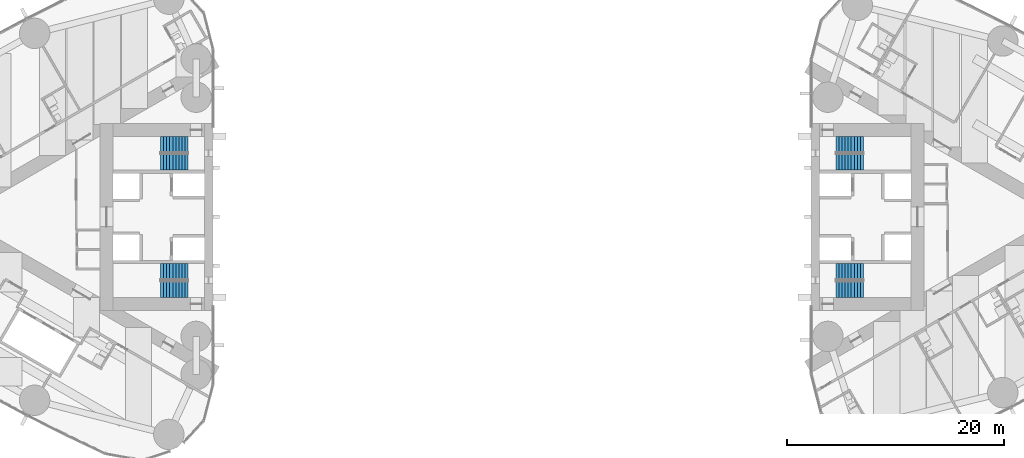
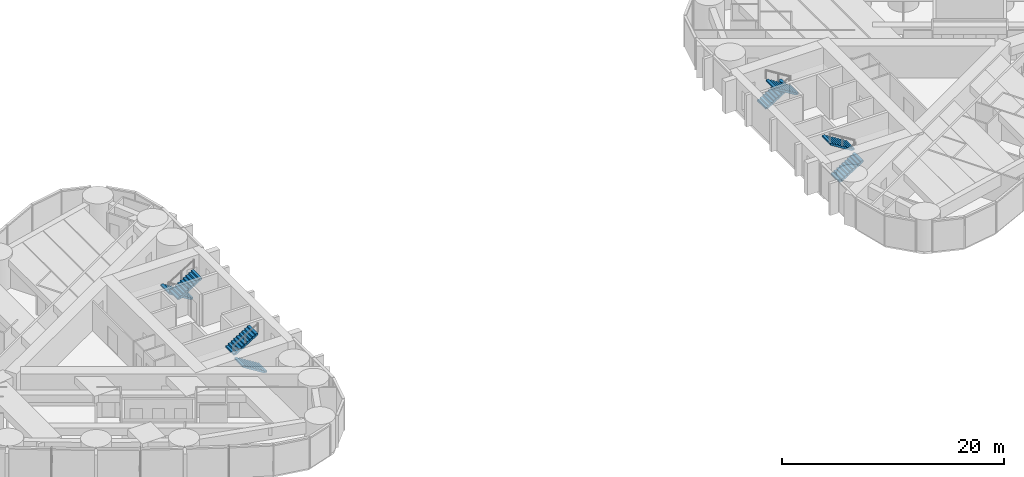
# One storey, part 17 of 19: 8 stair flights, 4 elements without a shape of their own.
"""IFC4 building model written with IfcOpenShell, lengths in metres."""

from ifc_helpers import new_model, si_unit, direction, frame, origin, place, context, subcontext, project, spatial, polyline, outline, extrude, material, type_object, element, aggregate, save


model = new_model("IFC4")

# Units and contexts
model_context = context("Model", 3, precision=1e-05, world=origin(), true_north=direction((0.0, 1.0)))
body_context = subcontext(model_context, "Body", "Model", "MODEL_VIEW")
ifc_project = project(units=[si_unit("LENGTHUNIT", "METRE"), si_unit("AREAUNIT", "SQUARE_METRE"), si_unit("VOLUMEUNIT", "CUBIC_METRE"), si_unit("PLANEANGLEUNIT", "RADIAN"), si_unit("MASSUNIT", "GRAM", prefix="KILO")], contexts=[model_context])

# Site, building, storey
site_placement = place(None, origin())
site = spatial("IfcSite", under=ifc_project, at=site_placement, CompositionType="ELEMENT")
building_placement = place(site_placement, origin())
building = spatial("IfcBuilding", under=site, at=building_placement, Name="Lancet Gate Hotel", CompositionType="ELEMENT")
storey_placement = place(building_placement, frame((0.0, 0.0, 198.300048828125)))
storey = spatial("IfcBuildingStorey", under=building, at=storey_placement, Name="L53", CompositionType="ELEMENT", Elevation=198.300048828125)

# Stair, stair flights
ifc_material_1 = material(Name="Exit stair 20 risers 1500")
stair_type = type_object("IfcStairType", Name="Exit stair 20 risers 1500", PredefinedType="HALF_TURN_STAIR", material=ifc_material_1)
stair_1_placement = place(storey_placement, origin())
stair_1 = element("IfcStair", 1, at=stair_1_placement, inside=storey, type_object=stair_type, Name="T1 stair 1 L53", PredefinedType="HALF_TURN_STAIR")
ifc_material_2 = material(Name="Stair flight 10 risers 175 rise 1500")
stair_flight_type = type_object("IfcStairFlightType", Name="Stair flight 10 risers 175 rise 1500", PredefinedType="STRAIGHT", material=ifc_material_2)
stair_flight_1_placement = place(storey_placement, frame((-29.800048828125, 6.64990234375, 0.0), z_axis=(0.0, 0.0, 1.0), x_axis=(-1.0, 0.0, 0.0)))
stair_flight_1 = element("IfcStairFlight", 2, at=stair_flight_1_placement, type_object=stair_flight_type, Name="ST1 flight 1", NumberOfRisers=10, NumberOfTreads=9, PredefinedType="STRAIGHT", RiserHeight=0.175, TreadLength=0.28, context=body_context, shape_type="SweptSolid", body=[
    extrude(outline(polyline([(0.0, 0.0), (0.0, 0.175048828125), (0.280029296875, 0.175048828125), (0.280029296875, 0.35009765625), (0.56005859375, 0.35009765625), (0.56005859375, 0.52490234375), (0.840087890625, 0.52490234375), (0.840087890625, 0.699951171875), (1.1201171875, 0.699951171875), (1.1201171875, 0.875), (1.39990234375, 0.875), (1.39990234375, 1.050048828125), (1.679931640625, 1.050048828125), (1.679931640625, 1.22509765625), (1.9599609375, 1.22509765625), (1.9599609375, 1.39990234375), (2.239990234375, 1.39990234375), (2.239990234375, 1.574951171875), (2.52001953125, 1.574951171875), (2.52001953125, 1.75), (2.52001953125, 1.398193359375), (0.28271484375, 0.0), (0.0, 0.0)])), frame((0.0, 0.75, 0.0), z_axis=(0.0, -1.0, 0.0), x_axis=(1.0, 0.0, 0.0)), (0.0, 0.0, 1.0), 1.5),
])
stair_flight_2_placement = place(storey_placement, frame((-32.320068359375, 5.050048828125, 1.75), z_axis=(0.0, 0.0, 1.0), x_axis=(1.0, 0.0, 0.0)))
stair_flight_2 = element("IfcStairFlight", 3, at=stair_flight_2_placement, type_object=stair_flight_type, Name="ST1 flight 2", NumberOfRisers=10, NumberOfTreads=9, PredefinedType="STRAIGHT", RiserHeight=0.175, TreadLength=0.28, context=body_context, shape_type="SweptSolid", body=[
    extrude(outline(polyline([(0.0, 0.0), (0.0, 0.175048828125), (0.280029296875, 0.175048828125), (0.280029296875, 0.35009765625), (0.56005859375, 0.35009765625), (0.56005859375, 0.52490234375), (0.840087890625, 0.52490234375), (0.840087890625, 0.699951171875), (1.1201171875, 0.699951171875), (1.1201171875, 0.875), (1.39990234375, 0.875), (1.39990234375, 1.050048828125), (1.679931640625, 1.050048828125), (1.679931640625, 1.22509765625), (1.9599609375, 1.22509765625), (1.9599609375, 1.39990234375), (2.239990234375, 1.39990234375), (2.239990234375, 1.574951171875), (2.52001953125, 1.574951171875), (2.52001953125, 1.75), (2.52001953125, 1.398193359375), (0.28271484375, 0.0), (0.0, 0.0)])), frame((0.0, 0.75, 0.0), z_axis=(0.0, -1.0, 0.0), x_axis=(1.0, 0.0, 0.0)), (0.0, 0.0, 1.0), 1.5),
])
aggregate(stair_1, [stair_flight_1, stair_flight_2])

stair_2_placement = place(storey_placement, origin())
stair_2 = element("IfcStair", 4, at=stair_2_placement, inside=storey, type_object=stair_type, Name="T1 stair 2 L53", PredefinedType="HALF_TURN_STAIR")
stair_flight_3_placement = place(storey_placement, frame((-29.800048828125, -6.64990234375, 0.0), z_axis=(0.0, 0.0, 1.0), x_axis=(-1.0, 0.0, 0.0)))
stair_flight_3 = element("IfcStairFlight", 5, at=stair_flight_3_placement, type_object=stair_flight_type, Name="ST2 flight 1", NumberOfRisers=10, NumberOfTreads=9, PredefinedType="STRAIGHT", RiserHeight=0.175, TreadLength=0.28, context=body_context, shape_type="SweptSolid", body=[
    extrude(outline(polyline([(0.0, 0.0), (0.0, 0.175048828125), (0.280029296875, 0.175048828125), (0.280029296875, 0.35009765625), (0.56005859375, 0.35009765625), (0.56005859375, 0.52490234375), (0.840087890625, 0.52490234375), (0.840087890625, 0.699951171875), (1.1201171875, 0.699951171875), (1.1201171875, 0.875), (1.39990234375, 0.875), (1.39990234375, 1.050048828125), (1.679931640625, 1.050048828125), (1.679931640625, 1.22509765625), (1.9599609375, 1.22509765625), (1.9599609375, 1.39990234375), (2.239990234375, 1.39990234375), (2.239990234375, 1.574951171875), (2.52001953125, 1.574951171875), (2.52001953125, 1.75), (2.52001953125, 1.398193359375), (0.28271484375, 0.0), (0.0, 0.0)])), frame((0.0, 0.75, 0.0), z_axis=(0.0, -1.0, 0.0), x_axis=(1.0, 0.0, 0.0)), (0.0, 0.0, 1.0), 1.5),
])
stair_flight_4_placement = place(storey_placement, frame((-32.320068359375, -5.050048828125, 1.75), z_axis=(0.0, 0.0, 1.0), x_axis=(1.0, 0.0, 0.0)))
stair_flight_4 = element("IfcStairFlight", 6, at=stair_flight_4_placement, type_object=stair_flight_type, Name="ST2 flight 2", NumberOfRisers=10, NumberOfTreads=9, PredefinedType="STRAIGHT", RiserHeight=0.175, TreadLength=0.28, context=body_context, shape_type="SweptSolid", body=[
    extrude(outline(polyline([(0.0, 0.0), (0.0, 0.175048828125), (0.280029296875, 0.175048828125), (0.280029296875, 0.35009765625), (0.56005859375, 0.35009765625), (0.56005859375, 0.52490234375), (0.840087890625, 0.52490234375), (0.840087890625, 0.699951171875), (1.1201171875, 0.699951171875), (1.1201171875, 0.875), (1.39990234375, 0.875), (1.39990234375, 1.050048828125), (1.679931640625, 1.050048828125), (1.679931640625, 1.22509765625), (1.9599609375, 1.22509765625), (1.9599609375, 1.39990234375), (2.239990234375, 1.39990234375), (2.239990234375, 1.574951171875), (2.52001953125, 1.574951171875), (2.52001953125, 1.75), (2.52001953125, 1.398193359375), (0.28271484375, 0.0), (0.0, 0.0)])), frame((0.0, 0.75, 0.0), z_axis=(0.0, -1.0, 0.0), x_axis=(1.0, 0.0, 0.0)), (0.0, 0.0, 1.0), 1.5),
])
aggregate(stair_2, [stair_flight_3, stair_flight_4])

stair_3_placement = place(storey_placement, origin())
stair_3 = element("IfcStair", 7, at=stair_3_placement, inside=storey, type_object=stair_type, Name="T2 stair 1 L53", PredefinedType="HALF_TURN_STAIR")
stair_flight_5_placement = place(storey_placement, frame((29.800048828125, -6.64990234375, 0.0), z_axis=(0.0, 0.0, 1.0), x_axis=(1.0, 0.0, 0.0)))
stair_flight_5 = element("IfcStairFlight", 8, at=stair_flight_5_placement, type_object=stair_flight_type, Name="ST3 flight 1", NumberOfRisers=10, NumberOfTreads=9, PredefinedType="STRAIGHT", RiserHeight=0.175, TreadLength=0.28, context=body_context, shape_type="SweptSolid", body=[
    extrude(outline(polyline([(0.0, 0.0), (0.0, 0.175048828125), (0.280029296875, 0.175048828125), (0.280029296875, 0.35009765625), (0.56005859375, 0.35009765625), (0.56005859375, 0.52490234375), (0.840087890625, 0.52490234375), (0.840087890625, 0.699951171875), (1.1201171875, 0.699951171875), (1.1201171875, 0.875), (1.39990234375, 0.875), (1.39990234375, 1.050048828125), (1.679931640625, 1.050048828125), (1.679931640625, 1.22509765625), (1.9599609375, 1.22509765625), (1.9599609375, 1.39990234375), (2.239990234375, 1.39990234375), (2.239990234375, 1.574951171875), (2.52001953125, 1.574951171875), (2.52001953125, 1.75), (2.52001953125, 1.398193359375), (0.28271484375, 0.0), (0.0, 0.0)])), frame((0.0, 0.75, 0.0), z_axis=(0.0, -1.0, 0.0), x_axis=(1.0, 0.0, 0.0)), (0.0, 0.0, 1.0), 1.5),
])
stair_flight_6_placement = place(storey_placement, frame((32.320068359375, -5.050048828125, 1.75), z_axis=(0.0, 0.0, 1.0), x_axis=(-1.0, 0.0, 0.0)))
stair_flight_6 = element("IfcStairFlight", 9, at=stair_flight_6_placement, type_object=stair_flight_type, Name="ST3 flight 2", NumberOfRisers=10, NumberOfTreads=9, PredefinedType="STRAIGHT", RiserHeight=0.175, TreadLength=0.28, context=body_context, shape_type="SweptSolid", body=[
    extrude(outline(polyline([(0.0, 0.0), (0.0, 0.175048828125), (0.280029296875, 0.175048828125), (0.280029296875, 0.35009765625), (0.56005859375, 0.35009765625), (0.56005859375, 0.52490234375), (0.840087890625, 0.52490234375), (0.840087890625, 0.699951171875), (1.1201171875, 0.699951171875), (1.1201171875, 0.875), (1.39990234375, 0.875), (1.39990234375, 1.050048828125), (1.679931640625, 1.050048828125), (1.679931640625, 1.22509765625), (1.9599609375, 1.22509765625), (1.9599609375, 1.39990234375), (2.239990234375, 1.39990234375), (2.239990234375, 1.574951171875), (2.52001953125, 1.574951171875), (2.52001953125, 1.75), (2.52001953125, 1.398193359375), (0.28271484375, 0.0), (0.0, 0.0)])), frame((0.0, 0.75, 0.0), z_axis=(0.0, -1.0, 0.0), x_axis=(1.0, 0.0, 0.0)), (0.0, 0.0, 1.0), 1.5),
])
aggregate(stair_3, [stair_flight_5, stair_flight_6])

stair_4_placement = place(storey_placement, origin())
stair_4 = element("IfcStair", 10, at=stair_4_placement, inside=storey, type_object=stair_type, Name="T2 stair 2 L53", PredefinedType="HALF_TURN_STAIR")
stair_flight_7_placement = place(storey_placement, frame((29.800048828125, 6.64990234375, 0.0), z_axis=(0.0, 0.0, 1.0), x_axis=(1.0, 0.0, 0.0)))
stair_flight_7 = element("IfcStairFlight", 11, at=stair_flight_7_placement, type_object=stair_flight_type, Name="ST4 flight 1", NumberOfRisers=10, NumberOfTreads=9, PredefinedType="STRAIGHT", RiserHeight=0.175, TreadLength=0.28, context=body_context, shape_type="SweptSolid", body=[
    extrude(outline(polyline([(0.0, 0.0), (0.0, 0.175048828125), (0.280029296875, 0.175048828125), (0.280029296875, 0.35009765625), (0.56005859375, 0.35009765625), (0.56005859375, 0.52490234375), (0.840087890625, 0.52490234375), (0.840087890625, 0.699951171875), (1.1201171875, 0.699951171875), (1.1201171875, 0.875), (1.39990234375, 0.875), (1.39990234375, 1.050048828125), (1.679931640625, 1.050048828125), (1.679931640625, 1.22509765625), (1.9599609375, 1.22509765625), (1.9599609375, 1.39990234375), (2.239990234375, 1.39990234375), (2.239990234375, 1.574951171875), (2.52001953125, 1.574951171875), (2.52001953125, 1.75), (2.52001953125, 1.398193359375), (0.28271484375, 0.0), (0.0, 0.0)])), frame((0.0, 0.75, 0.0), z_axis=(0.0, -1.0, 0.0), x_axis=(1.0, 0.0, 0.0)), (0.0, 0.0, 1.0), 1.5),
])
stair_flight_8_placement = place(storey_placement, frame((32.320068359375, 5.050048828125, 1.75), z_axis=(0.0, 0.0, 1.0), x_axis=(-1.0, 0.0, 0.0)))
stair_flight_8 = element("IfcStairFlight", 12, at=stair_flight_8_placement, type_object=stair_flight_type, Name="ST4 flight 2", NumberOfRisers=10, NumberOfTreads=9, PredefinedType="STRAIGHT", RiserHeight=0.175, TreadLength=0.28, context=body_context, shape_type="SweptSolid", body=[
    extrude(outline(polyline([(0.0, 0.0), (0.0, 0.175048828125), (0.280029296875, 0.175048828125), (0.280029296875, 0.35009765625), (0.56005859375, 0.35009765625), (0.56005859375, 0.52490234375), (0.840087890625, 0.52490234375), (0.840087890625, 0.699951171875), (1.1201171875, 0.699951171875), (1.1201171875, 0.875), (1.39990234375, 0.875), (1.39990234375, 1.050048828125), (1.679931640625, 1.050048828125), (1.679931640625, 1.22509765625), (1.9599609375, 1.22509765625), (1.9599609375, 1.39990234375), (2.239990234375, 1.39990234375), (2.239990234375, 1.574951171875), (2.52001953125, 1.574951171875), (2.52001953125, 1.75), (2.52001953125, 1.398193359375), (0.28271484375, 0.0), (0.0, 0.0)])), frame((0.0, 0.75, 0.0), z_axis=(0.0, -1.0, 0.0), x_axis=(1.0, 0.0, 0.0)), (0.0, 0.0, 1.0), 1.5),
])
aggregate(stair_4, [stair_flight_7, stair_flight_8])

save(model, "model.ifc")
